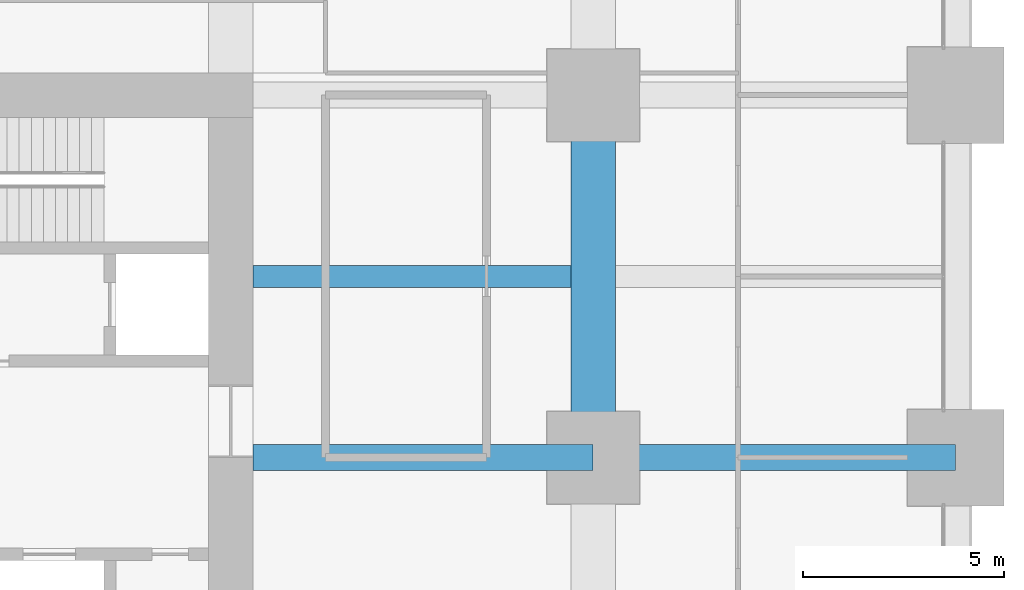
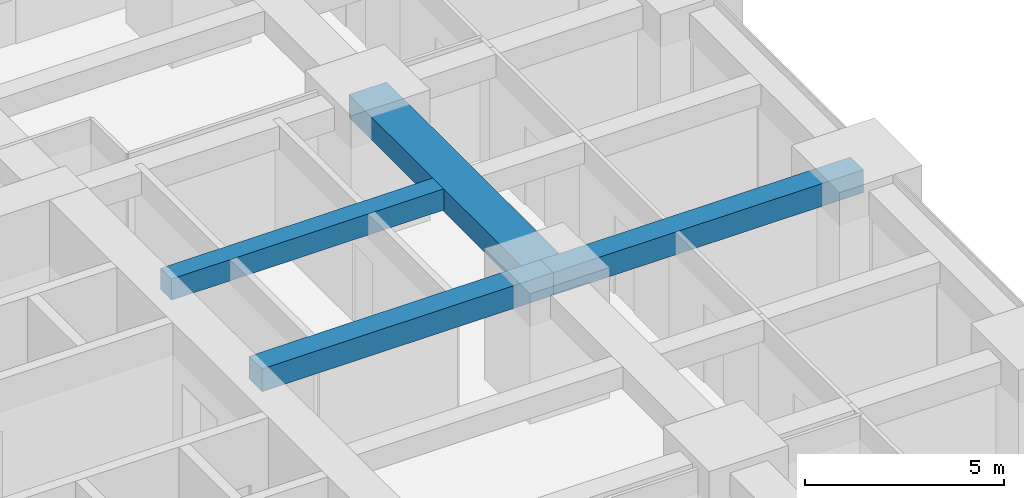
# One storey, part 21 of 45: 4 beams.
"""IFC4 building model written with IfcOpenShell, lengths in metres."""

from ifc_helpers import new_model, si_unit, direction, frame, origin, origin_2d, place, context, subcontext, project, spatial, rectangle, extrude, material, material_profile, profile_set, type_object, element, save


model = new_model("IFC4")

# Units and contexts
model_context = context("Model", 3, precision=1e-05, world=origin(), true_north=direction((0.0, 1.0)))
body_context = subcontext(model_context, "Body", "Model", "MODEL_VIEW")
ifc_project = project(units=[si_unit("LENGTHUNIT", "METRE"), si_unit("AREAUNIT", "SQUARE_METRE"), si_unit("VOLUMEUNIT", "CUBIC_METRE"), si_unit("PLANEANGLEUNIT", "RADIAN"), si_unit("MASSUNIT", "GRAM", prefix="KILO")], contexts=[model_context])

# Site, building, storey
site_placement = place(None, origin())
site = spatial("IfcSite", under=ifc_project, at=site_placement, CompositionType="ELEMENT")
building_placement = place(site_placement, origin())
building = spatial("IfcBuilding", under=site, at=building_placement, Name="Zorevar Civic Tower", CompositionType="ELEMENT")
storey_placement = place(building_placement, frame((0.0, 0.0, 27.800048828125)))
storey = spatial("IfcBuildingStorey", under=building, at=storey_placement, Name="L06", CompositionType="ELEMENT", Elevation=27.800048828125)

# Beams
ifc_material_1 = material(Name="Concrete C50/60", Category="concrete")
ifc_material_profile_1 = material_profile(ifc_material_1, rectangle(XDim=1.10009765625, YDim=0.699951171875, at=origin_2d()), Name="RC 1100x700")
ifc_profile_set_1 = profile_set([ifc_material_profile_1], Name="Concrete C50/60")
beam_type_1 = type_object("IfcBeamType", Name="Beam RC 1100x700", PredefinedType="BEAM", material=ifc_profile_set_1)
beam_1_placement = place(storey_placement, frame((54.0, 27.0, 3.39990234375), z_axis=(0.0, 1.0, 0.0), x_axis=(-1.0, 0.0, 0.0)))
element("IfcBeam", 1, at=beam_1_placement, inside=storey, type_object=beam_type_1, Name="Girder L07", PredefinedType="BEAM", context=body_context, shape_type="SweptSolid", body=[
    extrude(rectangle(XDim=1.10009765625, YDim=0.699951171875, at=origin_2d()), origin(), (0.0, 0.0, 1.0), 9.0),
])
ifc_material_2 = material(Name="Concrete C50/60", Category="concrete")
ifc_material_profile_2 = material_profile(ifc_material_2, rectangle(XDim=0.550048828125, YDim=0.64990234375, at=origin_2d()), Name="RC 550x650")
ifc_profile_set_2 = profile_set([ifc_material_profile_2], Name="Concrete C50/60")
beam_type_2 = type_object("IfcBeamType", Name="Beam RC 550x650", PredefinedType="BEAM", material=ifc_profile_set_2)
beam_2_placement = place(storey_placement, frame((45.550048828125, 31.5, 3.425048828125), z_axis=(1.0, 0.0, 0.0), x_axis=(0.0, 1.0, 0.0)))
element("IfcBeam", 2, at=beam_2_placement, inside=storey, type_object=beam_type_2, Name="Secondary beam L07", PredefinedType="BEAM", context=body_context, shape_type="SweptSolid", body=[
    extrude(rectangle(XDim=0.550048828125, YDim=0.64990234375, at=origin_2d()), origin(), (0.0, 0.0, 1.0), 7.89990234375),
])
ifc_material_3 = material(Name="Concrete C50/60", Category="concrete")
ifc_material_profile_3 = material_profile(ifc_material_3, rectangle(XDim=0.64990234375, YDim=0.699951171875, at=origin_2d()), Name="RC 650x700")
ifc_profile_set_3 = profile_set([ifc_material_profile_3], Name="Concrete C50/60")
beam_type_3 = type_object("IfcBeamType", Name="Beam RC 650x700", PredefinedType="BEAM", material=ifc_profile_set_3)
beam_3_placement = place(storey_placement, frame((45.550048828125, 27.0, 3.39990234375), z_axis=(1.0, 0.0, 0.0), x_axis=(0.0, 1.0, 0.0)))
element("IfcBeam", 3, at=beam_3_placement, inside=storey, type_object=beam_type_3, Name="Girder L07", PredefinedType="BEAM", context=body_context, shape_type="SweptSolid", body=[
    extrude(rectangle(XDim=0.64990234375, YDim=0.699951171875, at=origin_2d()), origin(), (0.0, 0.0, 1.0), 8.449951171875),
])
beam_4_placement = place(storey_placement, frame((54.0, 27.0, 3.39990234375), z_axis=(1.0, 0.0, 0.0), x_axis=(0.0, 1.0, 0.0)))
element("IfcBeam", 4, at=beam_4_placement, inside=storey, type_object=beam_type_3, Name="Girder L07", PredefinedType="BEAM", context=body_context, shape_type="SweptSolid", body=[
    extrude(rectangle(XDim=0.64990234375, YDim=0.699951171875, at=origin_2d()), origin(), (0.0, 0.0, 1.0), 9.0),
])

save(model, "model.ifc")
